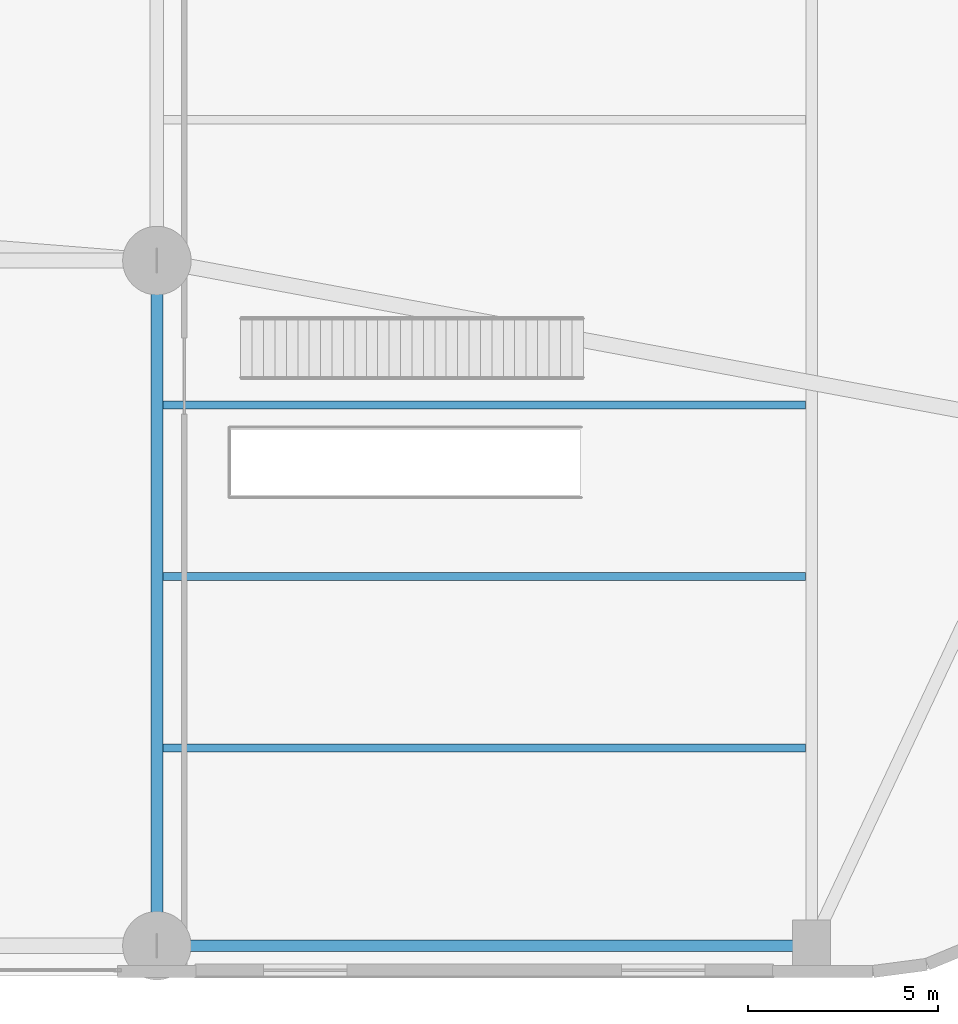
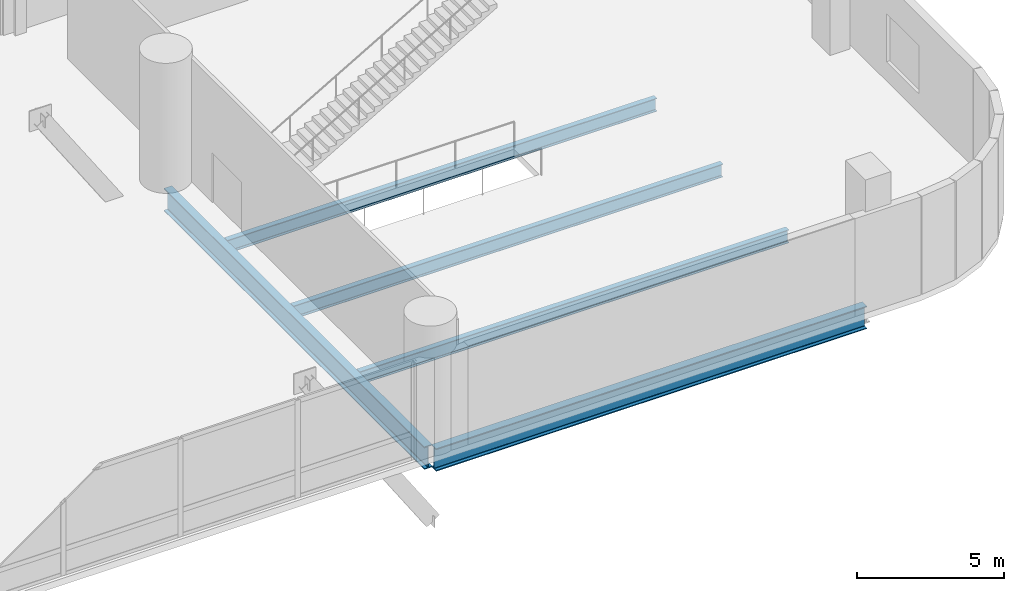
# One storey, part 14 of 40: 5 beams.
"""IFC4 building model written with IfcOpenShell, lengths in metres."""

import ifcopenshell
import ifcopenshell.guid

model = None  # the IFC model being written
_history = None  # IfcOwnerHistory: only IFC2X3 demands one
_inside = {}  # id of a spatial element -> (the spatial element, [elements in it])
_under = {}  # id of a project, library or spatial element -> (it, [spatial elements below it])
_declared = {}  # id of a project -> (the project, [libraries it declares])
_typed = {}  # id of a type object -> (the type object, [elements of that type])
_made_of = {}  # id of a material, layer set ... -> (it, [elements and type objects made of it])


def new_model(schema):
    """Start an empty IFC model of exactly this schema.

    Asked for "IFC4X3", IfcOpenShell would pick the latest addendum, in which some entities
    have other attributes; the version numbers below select the first issue.
    IFC2X3 requires an IfcOwnerHistory on every rooted entity: one is made here for all.
    """
    global model, _history
    if schema == "IFC4X3":
        model = ifcopenshell.file(schema_version=(4, 3, 0, 0))
    else:
        model = ifcopenshell.file(schema=schema)
    _inside.clear()
    _under.clear()
    _declared.clear()
    _typed.clear()
    _made_of.clear()
    _history = None
    if model.schema == "IFC2X3":
        org = make("IfcOrganization", Name="unknown")
        user = make(
            "IfcPersonAndOrganization",
            ThePerson=make("IfcPerson", FamilyName="unknown"),
            TheOrganization=org,
        )
        app = make(
            "IfcApplication",
            ApplicationDeveloper=org,
            Version="unknown",
            ApplicationFullName="unknown",
            ApplicationIdentifier="unknown",
        )
        _history = make(
            "IfcOwnerHistory",
            OwningUser=user,
            OwningApplication=app,
            ChangeAction="ADDED",
            CreationDate=0,
        )
    return model


def make(cls, **values):
    """One entity of the class cls with the attributes given. An attribute that is None is left unset."""
    return model.create_entity(
        cls, **{name: value for name, value in values.items() if value is not None}
    )


def rooted(cls, **values):
    """An entity with a GlobalId (a new one), such as an element, a storey or a relation."""
    return make(cls, GlobalId=ifcopenshell.guid.new(), OwnerHistory=_history, **values)


def si_unit(unit_type, name, prefix=None):
    """IfcSIUnit, for example si_unit("LENGTHUNIT", "METRE", prefix="MILLI")."""
    return make("IfcSIUnit", UnitType=unit_type, Prefix=prefix, Name=name)


def assignment(units):
    """IfcUnitAssignment: the units of a project."""
    return None if units is None else make("IfcUnitAssignment", Units=units)


def point(xyz):
    """IfcCartesianPoint."""
    return None if xyz is None else make("IfcCartesianPoint", Coordinates=xyz)


def direction(xyz):
    """IfcDirection."""
    return None if xyz is None else make("IfcDirection", DirectionRatios=xyz)


def frame(location, z_axis=None, x_axis=None):
    """IfcAxis2Placement3D, a coordinate frame: its origin and axes. An axis left out is left unset."""
    return make(
        "IfcAxis2Placement3D",
        Location=point(location),
        Axis=direction(z_axis),
        RefDirection=direction(x_axis),
    )


def frame_2d(location, x_axis=None):
    """IfcAxis2Placement2D, a coordinate frame in the plane: its origin and x axis."""
    return make(
        "IfcAxis2Placement2D", Location=point(location), RefDirection=direction(x_axis)
    )


def origin():
    """The frame at (0, 0, 0) with its axes left unset."""
    return frame((0.0, 0.0, 0.0))


def origin_2d():
    """The frame at (0, 0) in the plane with its x axis left unset."""
    return frame_2d((0.0, 0.0))


def place(relative_to, where):
    """IfcLocalPlacement: puts the frame where relative to a parent placement (None: the world)."""
    return make(
        "IfcLocalPlacement", PlacementRelTo=relative_to, RelativePlacement=where
    )


def context(
    kind, dimensions, precision=None, world=None, true_north=None, identifier=None
):
    """IfcGeometricRepresentationContext, for example the 3D "Model" context."""
    return make(
        "IfcGeometricRepresentationContext",
        ContextIdentifier=identifier,
        ContextType=kind,
        CoordinateSpaceDimension=dimensions,
        Precision=precision,
        WorldCoordinateSystem=world,
        TrueNorth=true_north,
    )


def subcontext(parent, identifier, kind, view, scale=None):
    """IfcGeometricRepresentationSubContext, for example "Body" below "Model"."""
    return make(
        "IfcGeometricRepresentationSubContext",
        ContextIdentifier=identifier,
        ContextType=kind,
        ParentContext=parent,
        TargetScale=scale,
        TargetView=view,
    )


def project(units=None, contexts=None):
    """IfcProject with its units and contexts."""
    return rooted(
        "IfcProject",
        Name="project",
        RepresentationContexts=contexts,
        UnitsInContext=assignment(units),
    )


def spatial(cls, under=None, at=None, **own):
    """A site, building, storey or space (cls), placed at a placement, below another one or the project."""
    s = rooted(cls, ObjectPlacement=at, **own)
    if under is not None:
        _under.setdefault(under.id(), (under, []))[1].append(s)
    return s


def profile(cls, at=None, kind="AREA", **sizes):
    """A parametric profile (cls). Its sizes go by their IFC names, for example OverallWidth=200.0."""
    return make(cls, ProfileType=kind, Position=at, **sizes)


def i_section(**sizes):
    """IfcIShapeProfileDef."""
    return profile("IfcIShapeProfileDef", **sizes)


def extrude(swept, where, along, depth):
    """IfcExtrudedAreaSolid: the profile swept, set in the frame where, extruded along a direction by depth."""
    return make(
        "IfcExtrudedAreaSolid",
        SweptArea=swept,
        Position=where,
        ExtrudedDirection=direction(along),
        Depth=depth,
    )


def shape(context_of_items, identifier, shape_type, items):
    """IfcShapeRepresentation: the items that make up one representation, for example the "Body"."""
    return make(
        "IfcShapeRepresentation",
        ContextOfItems=context_of_items,
        RepresentationIdentifier=identifier,
        RepresentationType=shape_type,
        Items=items,
    )


def material(Name=None, Category=None):
    """IfcMaterial."""
    return make("IfcMaterial", Name=Name, Category=Category)


def material_profile(
    of_material, cross_section, Name=None, Category=None, Priority=None
):
    """IfcMaterialProfile: a cross section and its material."""
    return make(
        "IfcMaterialProfile",
        Name=Name,
        Material=of_material,
        Profile=cross_section,
        Priority=Priority,
        Category=Category,
    )


def profile_set(profiles, Name=None, composite=None):
    """IfcMaterialProfileSet."""
    return make(
        "IfcMaterialProfileSet",
        Name=Name,
        MaterialProfiles=profiles,
        CompositeProfile=composite,
    )


def made_of(thing, what):
    """Note that an element or type object is made of a material, layer set ...; save() writes the relation."""
    if what is not None:
        _made_of.setdefault(what.id(), (what, []))[1].append(thing)
    return thing


def type_object(cls, material=None, **own):
    """A type object (cls), such as IfcWallType, which elements share."""
    return made_of(rooted(cls, **own), material)


def element(
    cls,
    number,
    at=None,
    inside=None,
    cuts=None,
    type_object=None,
    material=None,
    context=None,
    identifier="Body",
    shape_type=None,
    held_by="IfcProductDefinitionShape",
    body=None,
    shapes=None,
    **own,
):
    """One element of the class cls, such as IfcWall. Its Tag is "e" and its number.

    at: its placement. inside: the storey or other place that contains it. cuts: it is an
    opening in that element (IfcRelVoidsElement). A single representation is given by context,
    identifier, shape_type and body (its items); several are given by shapes. held_by: the class
    of the entity that holds the representations. save() writes the other relations.
    """
    e = rooted(cls, Tag="e%d" % number, ObjectPlacement=at, **own)
    if body is not None:
        shapes = [shape(context, identifier, shape_type, body)]
    if shapes is not None:
        e.Representation = make(held_by, Representations=shapes)
    if inside is not None:
        _inside.setdefault(inside.id(), (inside, []))[1].append(e)
    if cuts is not None:
        rooted(
            "IfcRelVoidsElement", RelatingBuildingElement=cuts, RelatedOpeningElement=e
        )
    if type_object is not None:
        _typed.setdefault(type_object.id(), (type_object, []))[1].append(e)
    return made_of(e, material)


def aggregate(whole, parts):
    """IfcRelAggregates: a whole, such as a stair, and the parts it consists of."""
    return rooted("IfcRelAggregates", RelatingObject=whole, RelatedObjects=parts)


def save(model, path):
    """Write the relations noted so far, then the file.

    IfcRelAggregates (storeys below a building ...), IfcRelContainedInSpatialStructure (elements
    in a storey), IfcRelDefinesByType, IfcRelAssociatesMaterial and IfcRelDeclares: one each for
    every whole, place, type object, material and project.
    """
    for whole, parts in _under.values():
        aggregate(whole, parts)
    for where, things in _inside.values():
        rooted(
            "IfcRelContainedInSpatialStructure",
            RelatedElements=things,
            RelatingStructure=where,
        )
    for kind, things in _typed.values():
        rooted("IfcRelDefinesByType", RelatedObjects=things, RelatingType=kind)
    for what, things in _made_of.values():
        rooted("IfcRelAssociatesMaterial", RelatedObjects=things, RelatingMaterial=what)
    for by, libraries in _declared.values():
        rooted("IfcRelDeclares", RelatingContext=by, RelatedDefinitions=libraries)
    model.write(path)


model = new_model("IFC4")

# Units and contexts
model_context = context("Model", 3, precision=1e-05, world=origin(), true_north=direction((0.0, 1.0)))
body_context = subcontext(model_context, "Body", "Model", "MODEL_VIEW")
ifc_project = project(units=[si_unit("LENGTHUNIT", "METRE"), si_unit("AREAUNIT", "SQUARE_METRE"), si_unit("VOLUMEUNIT", "CUBIC_METRE"), si_unit("PLANEANGLEUNIT", "RADIAN"), si_unit("MASSUNIT", "GRAM", prefix="KILO")], contexts=[model_context])

# Site, building, storey
site_placement = place(None, origin())
site = spatial("IfcSite", under=ifc_project, at=site_placement, CompositionType="ELEMENT")
building_placement = place(site_placement, origin())
building = spatial("IfcBuilding", under=site, at=building_placement, Name="Varnelok Gate Tower", CompositionType="ELEMENT")
storey_placement = place(building_placement, frame((0.0, 0.0, 5.39990234375)))
storey = spatial("IfcBuildingStorey", under=building, at=storey_placement, Name="L01", CompositionType="ELEMENT", Elevation=5.39990234375)

# Beams
ifc_material = material(Name="Structural Steel ASTM A992 Grade 50", Category="steel")
ifc_material_profile_1 = material_profile(ifc_material, i_section(OverallWidth=0.2119140625, OverallDepth=0.5439453125, WebThickness=0.01318359375, FlangeThickness=0.021240234375, FilletRadius=0.01611328125, at=origin_2d()), Name="W21X83")
ifc_profile_set_1 = profile_set([ifc_material_profile_1], Name="Structural Steel ASTM A992 Grade 50")
beam_type_1 = type_object("IfcBeamType", Name="BM-JST-W21X83", PredefinedType="JOIST", material=ifc_profile_set_1)
for number, where, z_axis, x_axis, name in (
    (1, (54.159912109375, 6.0, -0.552001953125), (1.0, 0.0, 0.0), (0.0, 1.0, 0.0), "L01 Podium Floor Joist"),
    (2, (54.159912109375, 10.5, -0.552001953125), (1.0, 0.0, 0.0), (0.0, 1.0, 0.0), "L01 Podium Floor Joist"),
    (3, (54.159912109375, 15.0, -0.552001953125), (1.0, 0.0, 0.0), (0.0, 1.0, 0.0), "L01 Podium Floor Joist"),
):
    element("IfcBeam", number, at=place(storey_placement, frame(where, z_axis=z_axis, x_axis=x_axis)), inside=storey, type_object=beam_type_1, Name=name, PredefinedType="JOIST", context=body_context, shape_type="SweptSolid", body=[
        extrude(i_section(OverallWidth=0.2119140625, OverallDepth=0.5439453125, WebThickness=0.01318359375, FlangeThickness=0.021240234375, FilletRadius=0.01611328125, at=origin_2d()), origin(), (0.0, 0.0, 1.0), 16.880126953125),
    ])
ifc_material_profile_2 = material_profile(ifc_material, i_section(OverallWidth=0.30810546875, OverallDepth=0.943115234375, WebThickness=0.022216796875, FlangeThickness=0.039794921875, FilletRadius=0.02587890625, at=origin_2d()), Name="W36X232")
ifc_profile_set_2 = profile_set([ifc_material_profile_2], Name="Structural Steel ASTM A992 Grade 50")
beam_type_2 = type_object("IfcBeamType", Name="BM-PRI-W36X232", PredefinedType="BEAM", material=ifc_profile_set_2)
beam_1_placement = place(storey_placement, frame((54.139892578125, 0.800048828125, -0.75146484375), z_axis=(1.0, 0.0, 0.0), x_axis=(0.0, 1.0, 0.0)))
element("IfcBeam", 4, at=beam_1_placement, inside=storey, type_object=beam_type_2, Name="L01 Podium Primary Girder 2", PredefinedType="BEAM", context=body_context, shape_type="SweptSolid", body=[
    extrude(i_section(OverallWidth=0.30810546875, OverallDepth=0.943115234375, WebThickness=0.022216796875, FlangeThickness=0.039794921875, FilletRadius=0.02587890625, at=origin_2d()), origin(), (0.0, 0.0, 1.0), 16.920166015625),
])
beam_2_placement = place(storey_placement, frame((54.0, 0.93994140625, -0.75146484375), z_axis=(0.0, 1.0, 0.0), x_axis=(-1.0, 0.0, 0.0)))
element("IfcBeam", 5, at=beam_2_placement, inside=storey, type_object=beam_type_2, Name="L01 Podium Primary Girder 13", PredefinedType="BEAM", context=body_context, shape_type="SweptSolid", body=[
    extrude(i_section(OverallWidth=0.30810546875, OverallDepth=0.943115234375, WebThickness=0.022216796875, FlangeThickness=0.039794921875, FilletRadius=0.02587890625, at=origin_2d()), origin(), (0.0, 0.0, 1.0), 17.719970703125),
])

save(model, "model.ifc")
